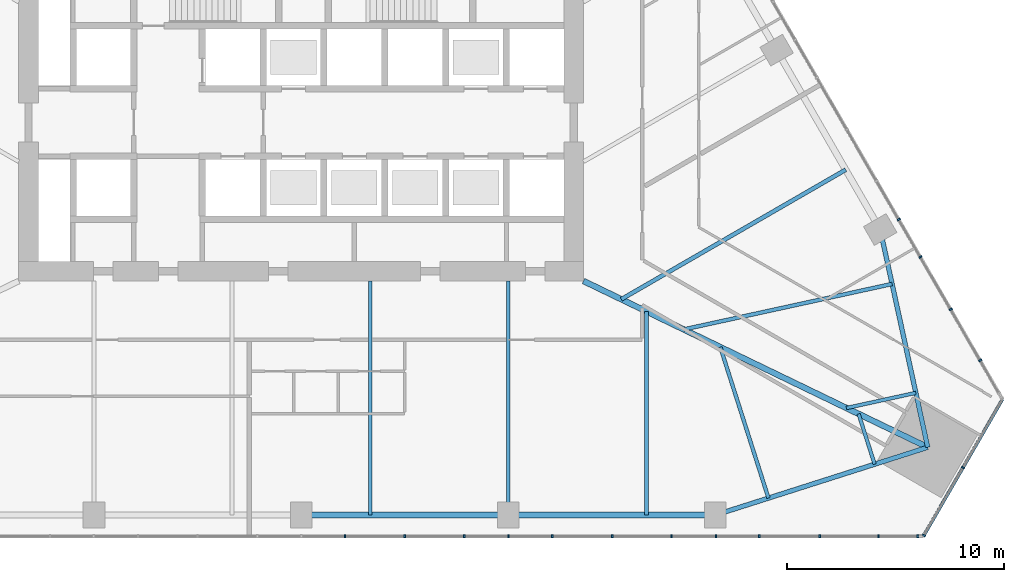
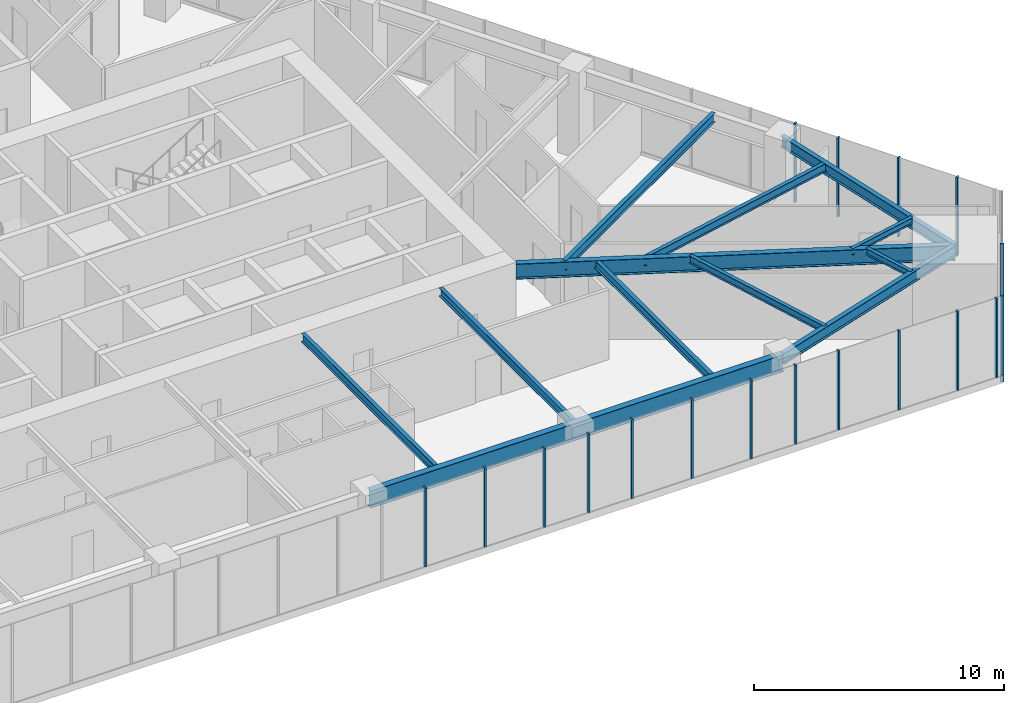
# One storey, part 7 of 25: 19 members, 12 beams, 3 elements without a shape of their own.
"""IFC4 building model written with IfcOpenShell, lengths in metres."""

from ifc_helpers import new_model, si_unit, direction, frame, origin, origin_2d, place, context, subcontext, project, spatial, rectangle, i_section, extrude, material, layer, layer_set, material_profile, profile_set, type_object, element, aggregate, save


model = new_model("IFC4")

# Units and contexts
model_context = context("Model", 3, precision=1e-05, world=origin(), true_north=direction((0.0, 1.0)))
body_context = subcontext(model_context, "Body", "Model", "MODEL_VIEW")
ifc_project = project(units=[si_unit("LENGTHUNIT", "METRE"), si_unit("AREAUNIT", "SQUARE_METRE"), si_unit("VOLUMEUNIT", "CUBIC_METRE"), si_unit("PLANEANGLEUNIT", "RADIAN"), si_unit("MASSUNIT", "GRAM", prefix="KILO")], contexts=[model_context])

# Site, building, storey
site_placement = place(None, origin())
site = spatial("IfcSite", under=ifc_project, at=site_placement, CompositionType="ELEMENT")
building_placement = place(site_placement, origin())
building = spatial("IfcBuilding", under=site, at=building_placement, Name="Firuza Gate Tower and Library", CompositionType="ELEMENT")
storey_placement = place(building_placement, frame((0.0, 0.0, 61.0)))
storey = spatial("IfcBuildingStorey", under=building, at=storey_placement, Name="L13", CompositionType="ELEMENT", Elevation=61.0)

# Curtain wall, members
ifc_material_1 = material(Name="Aluminium 6063-T6", Category="aluminium")
ifc_layer_1 = layer(ifc_material_1, 0.14990234375)
ifc_layer_set_1 = layer_set([ifc_layer_1], Name="Unitised curtain wall, offices")
curtain_wall_type_1 = type_object("IfcCurtainWallType", Name="Unitised curtain wall, offices", PredefinedType="NOTDEFINED", material=ifc_layer_set_1)
placement = place(storey_placement, origin())
curtain_wall_1 = element("IfcCurtainWall", 1, at=placement, inside=storey, type_object=curtain_wall_type_1, Name="CW1 L13 S face", PredefinedType="NOTDEFINED")
ifc_material_2 = material(Name="Aluminium 6063-T6", Category="aluminium")
ifc_material_profile_1 = material_profile(ifc_material_2, rectangle(XDim=0.14990234375, YDim=0.080078125, at=origin_2d()))
ifc_profile_set_1 = profile_set([ifc_material_profile_1], Name="Aluminium 6063-T6")
member_type_1 = type_object("IfcMemberType", Name="Curtain wall mullion 80x150", PredefinedType="MULLION", material=ifc_profile_set_1)
member_1_placement = place(storey_placement, frame((79.7744140625, 54.25390625, 0.14990234375), z_axis=(0.0, 0.0, 1.0), x_axis=(0.0, 1.0, 0.0)))
member_1 = element("IfcMember", 2, at=member_1_placement, type_object=member_type_1, Name="Mullion", PredefinedType="MULLION", context=body_context, shape_type="SweptSolid", body=[
    extrude(rectangle(XDim=0.14990234375, YDim=0.080078125, at=origin_2d()), origin(), (0.0, 0.0, 1.0), 3.85009765625),
])
member_2_placement = place(storey_placement, frame((84.548828125, 54.25390625, 0.14990234375), z_axis=(0.0, 0.0, 1.0), x_axis=(0.0, 1.0, 0.0)))
member_2 = element("IfcMember", 3, at=member_2_placement, type_object=member_type_1, Name="Mullion", PredefinedType="MULLION", context=body_context, shape_type="SweptSolid", body=[
    extrude(rectangle(XDim=0.14990234375, YDim=0.080078125, at=origin_2d()), origin(), (0.0, 0.0, 1.0), 3.85009765625),
])
member_3_placement = place(storey_placement, frame((89.3232421875, 54.25390625, 0.14990234375), z_axis=(0.0, 0.0, 1.0), x_axis=(0.0, 1.0, 0.0)))
member_3 = element("IfcMember", 4, at=member_3_placement, type_object=member_type_1, Name="Mullion", PredefinedType="MULLION", context=body_context, shape_type="SweptSolid", body=[
    extrude(rectangle(XDim=0.14990234375, YDim=0.080078125, at=origin_2d()), origin(), (0.0, 0.0, 1.0), 3.85009765625),
])
member_4_placement = place(storey_placement, frame((94.097900390625, 54.25390625, 0.14990234375), z_axis=(0.0, 0.0, 1.0), x_axis=(0.0, 1.0, 0.0)))
member_4 = element("IfcMember", 5, at=member_4_placement, type_object=member_type_1, Name="Mullion", PredefinedType="MULLION", context=body_context, shape_type="SweptSolid", body=[
    extrude(rectangle(XDim=0.14990234375, YDim=0.080078125, at=origin_2d()), origin(), (0.0, 0.0, 1.0), 3.85009765625),
])
member_5_placement = place(storey_placement, frame((98.872314453125, 54.25390625, 0.14990234375), z_axis=(0.0, 0.0, 1.0), x_axis=(0.0, 1.0, 0.0)))
member_5 = element("IfcMember", 6, at=member_5_placement, type_object=member_type_1, Name="Mullion", PredefinedType="MULLION", context=body_context, shape_type="SweptSolid", body=[
    extrude(rectangle(XDim=0.14990234375, YDim=0.080078125, at=origin_2d()), origin(), (0.0, 0.0, 1.0), 3.85009765625),
])
member_6_placement = place(storey_placement, frame((77.021240234375, 54.25390625, 0.14990234375), z_axis=(0.0, 0.0, 1.0), x_axis=(0.0, 1.0, 0.0)))
member_6 = element("IfcMember", 7, at=member_6_placement, type_object=member_type_1, Name="Mullion", PredefinedType="MULLION", context=body_context, shape_type="SweptSolid", body=[
    extrude(rectangle(XDim=0.14990234375, YDim=0.080078125, at=origin_2d()), origin(), (0.0, 0.0, 1.0), 3.85009765625),
])
member_7_placement = place(storey_placement, frame((82.51318359375, 54.25390625, 0.14990234375), z_axis=(0.0, 0.0, 1.0), x_axis=(0.0, 1.0, 0.0)))
member_7 = element("IfcMember", 8, at=member_7_placement, type_object=member_type_1, Name="Mullion", PredefinedType="MULLION", context=body_context, shape_type="SweptSolid", body=[
    extrude(rectangle(XDim=0.14990234375, YDim=0.080078125, at=origin_2d()), origin(), (0.0, 0.0, 1.0), 3.85009765625),
])
member_8_placement = place(storey_placement, frame((86.5556640625, 54.25390625, 0.14990234375), z_axis=(0.0, 0.0, 1.0), x_axis=(0.0, 1.0, 0.0)))
member_8 = element("IfcMember", 9, at=member_8_placement, type_object=member_type_1, Name="Mullion", PredefinedType="MULLION", context=body_context, shape_type="SweptSolid", body=[
    extrude(rectangle(XDim=0.14990234375, YDim=0.080078125, at=origin_2d()), origin(), (0.0, 0.0, 1.0), 3.85009765625),
])
member_9_placement = place(storey_placement, frame((92.047607421875, 54.25390625, 0.14990234375), z_axis=(0.0, 0.0, 1.0), x_axis=(0.0, 1.0, 0.0)))
member_9 = element("IfcMember", 10, at=member_9_placement, type_object=member_type_1, Name="Mullion", PredefinedType="MULLION", context=body_context, shape_type="SweptSolid", body=[
    extrude(rectangle(XDim=0.14990234375, YDim=0.080078125, at=origin_2d()), origin(), (0.0, 0.0, 1.0), 3.85009765625),
])
member_10_placement = place(storey_placement, frame((96.09033203125, 54.25390625, 0.14990234375), z_axis=(0.0, 0.0, 1.0), x_axis=(0.0, 1.0, 0.0)))
member_10 = element("IfcMember", 11, at=member_10_placement, type_object=member_type_1, Name="Mullion", PredefinedType="MULLION", context=body_context, shape_type="SweptSolid", body=[
    extrude(rectangle(XDim=0.14990234375, YDim=0.080078125, at=origin_2d()), origin(), (0.0, 0.0, 1.0), 3.85009765625),
])
member_11_placement = place(storey_placement, frame((101.58203125, 54.25390625, 0.14990234375), z_axis=(0.0, 0.0, 1.0), x_axis=(0.0, 1.0, 0.0)))
member_11 = element("IfcMember", 12, at=member_11_placement, type_object=member_type_1, Name="Mullion", PredefinedType="MULLION", context=body_context, shape_type="SweptSolid", body=[
    extrude(rectangle(XDim=0.14990234375, YDim=0.080078125, at=origin_2d()), origin(), (0.0, 0.0, 1.0), 3.85009765625),
])
member_12_placement = place(storey_placement, frame((103.380615234375, 54.25390625, 0.14990234375), z_axis=(0.0, 0.0, 1.0), x_axis=(0.0, 1.0, 0.0)))
member_12 = element("IfcMember", 13, at=member_12_placement, type_object=member_type_1, Name="Mullion", PredefinedType="MULLION", context=body_context, shape_type="SweptSolid", body=[
    extrude(rectangle(XDim=0.14990234375, YDim=0.080078125, at=origin_2d()), origin(), (0.0, 0.0, 1.0), 3.85009765625),
])
aggregate(curtain_wall_1, [member_1, member_2, member_3, member_4, member_5, member_6, member_7, member_8, member_9, member_10, member_11, member_12])

ifc_material_3 = material(Name="Aluminium 6063-T6", Category="aluminium")
ifc_layer_2 = layer(ifc_material_3, 0.14990234375)
ifc_layer_set_2 = layer_set([ifc_layer_2], Name="Corner curtain wall, chamfers")
curtain_wall_type_2 = type_object("IfcCurtainWallType", Name="Corner curtain wall, chamfers", PredefinedType="NOTDEFINED", material=ifc_layer_set_2)
curtain_wall_2 = element("IfcCurtainWall", 14, at=placement, inside=storey, type_object=curtain_wall_type_2, Name="CW4 L13 SE corner", PredefinedType="NOTDEFINED")
member_13_placement = place(storey_placement, frame((103.666748046875, 54.28857421875, 0.14990234375), z_axis=(0.0, 0.0, 1.0), x_axis=(-0.866025403784, 0.5, 0.0)))
member_13 = element("IfcMember", 15, at=member_13_placement, type_object=member_type_1, Name="Mullion", PredefinedType="MULLION", context=body_context, shape_type="SweptSolid", body=[
    extrude(rectangle(XDim=0.14990234375, YDim=0.080078125, at=origin_2d()), origin(), (0.0, 0.0, 1.0), 3.85009765625),
])
member_14_placement = place(storey_placement, frame((105.46826171875, 57.4091796875, 0.14990234375), z_axis=(0.0, 0.0, 1.0), x_axis=(-0.866025403784, 0.5, 0.0)))
member_14 = element("IfcMember", 16, at=member_14_placement, type_object=member_type_1, Name="Mullion", PredefinedType="MULLION", context=body_context, shape_type="SweptSolid", body=[
    extrude(rectangle(XDim=0.14990234375, YDim=0.080078125, at=origin_2d()), origin(), (0.0, 0.0, 1.0), 3.85009765625),
])

curtain_wall_3 = element("IfcCurtainWall", 17, at=placement, inside=storey, type_object=curtain_wall_type_1, Name="CW1 L13 E face", PredefinedType="NOTDEFINED")
member_15_placement = place(storey_placement, frame((104.90283203125, 64.698974609375, 0.14990234375), z_axis=(0.0, 0.0, 1.0), x_axis=(-0.866025403784, -0.5, 0.0)))
member_15 = element("IfcMember", 18, at=member_15_placement, type_object=member_type_1, Name="Mullion", PredefinedType="MULLION", context=body_context, shape_type="SweptSolid", body=[
    extrude(rectangle(XDim=0.14990234375, YDim=0.080078125, at=origin_2d()), origin(), (0.0, 0.0, 1.0), 3.85009765625),
])
member_16_placement = place(storey_placement, frame((102.515625, 68.833984375, 0.14990234375), z_axis=(0.0, 0.0, 1.0), x_axis=(-0.866025403784, -0.5, 0.0)))
member_16 = element("IfcMember", 19, at=member_16_placement, type_object=member_type_1, Name="Mullion", PredefinedType="MULLION", context=body_context, shape_type="SweptSolid", body=[
    extrude(rectangle(XDim=0.14990234375, YDim=0.080078125, at=origin_2d()), origin(), (0.0, 0.0, 1.0), 3.85009765625),
])
member_17_placement = place(storey_placement, frame((106.257568359375, 62.352294921875, 0.14990234375), z_axis=(0.0, 0.0, 1.0), x_axis=(-0.866025403784, -0.5, 0.0)))
member_17 = element("IfcMember", 20, at=member_17_placement, type_object=member_type_1, Name="Mullion", PredefinedType="MULLION", context=body_context, shape_type="SweptSolid", body=[
    extrude(rectangle(XDim=0.14990234375, YDim=0.080078125, at=origin_2d()), origin(), (0.0, 0.0, 1.0), 3.85009765625),
])
member_18_placement = place(storey_placement, frame((103.51171875, 67.1083984375, 0.14990234375), z_axis=(0.0, 0.0, 1.0), x_axis=(-0.866025403784, -0.5, 0.0)))
member_18 = element("IfcMember", 21, at=member_18_placement, type_object=member_type_1, Name="Mullion", PredefinedType="MULLION", context=body_context, shape_type="SweptSolid", body=[
    extrude(rectangle(XDim=0.14990234375, YDim=0.080078125, at=origin_2d()), origin(), (0.0, 0.0, 1.0), 3.85009765625),
])
aggregate(curtain_wall_3, [member_15, member_16, member_17, member_18])

# Member
ifc_material_4 = material(Name="Aluminium 6063-T6", Category="aluminium")
ifc_material_profile_2 = material_profile(ifc_material_4, rectangle(XDim=0.14990234375, YDim=0.35009765625, at=origin_2d()))
ifc_profile_set_2 = profile_set([ifc_material_profile_2], Name="Aluminium 6063-T6")
member_type_2 = type_object("IfcMemberType", Name="Curtain wall transom 350x150", PredefinedType="USERDEFINED", material=ifc_profile_set_2)
member_19_placement = place(storey_placement, frame((103.646728515625, 54.25390625, -0.02490234375), z_axis=(0.500005719219, 0.866022101766, 0.0), x_axis=(-0.866022101766, 0.500005719219, 0.0)))
member_19 = element("IfcMember", 22, at=member_19_placement, type_object=member_type_2, Name="Transom", ObjectType="TRANSOM", PredefinedType="USERDEFINED", context=body_context, shape_type="SweptSolid", body=[
    extrude(rectangle(XDim=0.14990234375, YDim=0.35009765625, at=origin_2d()), origin(), (0.0, 0.0, 1.0), 7.28662109375),
])

aggregate(curtain_wall_2, [member_13, member_14, member_19])

# Beams
ifc_material_5 = material(Name="Steel S355", Category="steel")
ifc_material_profile_3 = material_profile(ifc_material_5, i_section(OverallWidth=0.1650390625, OverallDepth=0.31005859375, WebThickness=0.005859375, FlangeThickness=0.009765625, at=origin_2d()))
ifc_profile_set_3 = profile_set([ifc_material_profile_3], Name="Steel S355")
beam_type_1 = type_object("IfcBeamType", Name="W310x39 Floor beam", PredefinedType="JOIST", material=ifc_profile_set_3)
beam_1_placement = place(storey_placement, frame((101.400634765625, 57.567138671875, 3.844970703125), z_axis=(-0.303883149111, 0.952709311221, 0.0), x_axis=(-0.952709311221, -0.303883149111, 0.0)))
element("IfcBeam", 23, at=beam_1_placement, inside=storey, type_object=beam_type_1, Name="Floor beam L13 s31", PredefinedType="JOIST", context=body_context, shape_type="SweptSolid", body=[
    extrude(i_section(OverallWidth=0.1650390625, OverallDepth=0.31005859375, WebThickness=0.005859375, FlangeThickness=0.009765625, at=origin_2d()), origin(), (0.0, 0.0, 1.0), 2.431884765625),
])
beam_2_placement = place(storey_placement, frame((103.297607421875, 60.852783203125, 3.844970703125), z_axis=(-0.977001633278, -0.213231818855, 0.0), x_axis=(0.213231818855, -0.977001633278, 0.0)))
element("IfcBeam", 24, at=beam_2_placement, inside=storey, type_object=beam_type_1, Name="Floor beam L13 s40", PredefinedType="JOIST", context=body_context, shape_type="SweptSolid", body=[
    extrude(i_section(OverallWidth=0.1650390625, OverallDepth=0.31005859375, WebThickness=0.005859375, FlangeThickness=0.009765625, at=origin_2d()), origin(), (0.0, 0.0, 1.0), 3.272216796875),
])
ifc_material_6 = material(Name="Steel S355", Category="steel")
ifc_material_profile_4 = material_profile(ifc_material_6, i_section(OverallWidth=0.1708984375, OverallDepth=0.35498046875, WebThickness=0.007080078125, FlangeThickness=0.01171875, at=origin_2d()))
ifc_profile_set_4 = profile_set([ifc_material_profile_4], Name="Steel S355")
beam_type_2 = type_object("IfcBeamType", Name="W360x51 Floor beam", PredefinedType="JOIST", material=ifc_profile_set_4)
beam_3_placement = place(storey_placement, frame((96.5126953125, 56.00830078125, 3.822509765625), z_axis=(-0.303832087289, 0.952725596766, 0.0), x_axis=(-0.952725596766, -0.303832087289, 0.0)))
element("IfcBeam", 25, at=beam_3_placement, inside=storey, type_object=beam_type_2, Name="Floor beam L13 s30", PredefinedType="JOIST", context=body_context, shape_type="SweptSolid", body=[
    extrude(i_section(OverallWidth=0.1708984375, OverallDepth=0.35498046875, WebThickness=0.007080078125, FlangeThickness=0.01171875, at=origin_2d()), origin(), (0.0, 0.0, 1.0), 7.29541015625),
])
ifc_material_7 = material(Name="Steel S355", Category="steel")
ifc_material_profile_5 = material_profile(ifc_material_7, i_section(OverallWidth=0.177978515625, OverallDepth=0.406982421875, WebThickness=0.0078125, FlangeThickness=0.0126953125, at=origin_2d()))
ifc_profile_set_5 = profile_set([ifc_material_profile_5], Name="Steel S355")
beam_type_3 = type_object("IfcBeamType", Name="W410x60 Floor beam", PredefinedType="JOIST", material=ifc_profile_set_5)
for number, where, z_axis, x_axis, name in (
    (26, (78.17822265625, 55.22900390625, 3.79638671875), (0.0, 1.0, 0.0), (-1.0, 0.0, 0.0), "Floor beam L13 s23"),
    (27, (84.534423828125, 55.22900390625, 3.79638671875), (0.0, 1.0, 0.0), (-1.0, 0.0, 0.0), "Floor beam L13 s24"),
):
    element("IfcBeam", number, at=place(storey_placement, frame(where, z_axis=z_axis, x_axis=x_axis)), inside=storey, type_object=beam_type_3, Name=name, PredefinedType="JOIST", context=body_context, shape_type="SweptSolid", body=[
        extrude(i_section(OverallWidth=0.177978515625, OverallDepth=0.406982421875, WebThickness=0.0078125, FlangeThickness=0.0126953125, at=origin_2d()), origin(), (0.0, 0.0, 1.0), 10.77099609375),
    ])
beam_4_placement = place(storey_placement, frame((90.890869140625, 55.22900390625, 3.79638671875), z_axis=(0.0, 1.0, 0.0), x_axis=(-1.0, 0.0, 0.0)))
element("IfcBeam", 28, at=beam_4_placement, inside=storey, type_object=beam_type_3, Name="Floor beam L13 s25", PredefinedType="JOIST", context=body_context, shape_type="SweptSolid", body=[
    extrude(i_section(OverallWidth=0.177978515625, OverallDepth=0.406982421875, WebThickness=0.0078125, FlangeThickness=0.0126953125, at=origin_2d()), origin(), (0.0, 0.0, 1.0), 9.374755859375),
])
beam_5_placement = place(storey_placement, frame((102.20361328125, 65.865234375, 3.79638671875), z_axis=(-0.977001633278, -0.213231818855, 0.0), x_axis=(0.213231818855, -0.977001633278, 0.0)))
element("IfcBeam", 29, at=beam_5_placement, inside=storey, type_object=beam_type_3, Name="Floor beam L13 s41", PredefinedType="JOIST", context=body_context, shape_type="SweptSolid", body=[
    extrude(i_section(OverallWidth=0.177978515625, OverallDepth=0.406982421875, WebThickness=0.0078125, FlangeThickness=0.0126953125, at=origin_2d()), origin(), (0.0, 0.0, 1.0), 9.81689453125),
])
ifc_material_8 = material(Name="Steel S355", Category="steel")
ifc_material_profile_6 = material_profile(ifc_material_8, i_section(OverallWidth=0.18994140625, OverallDepth=0.45703125, WebThickness=0.009033203125, FlangeThickness=0.014404296875, at=origin_2d()))
ifc_profile_set_6 = profile_set([ifc_material_profile_6], Name="Steel S355")
beam_type_4 = type_object("IfcBeamType", Name="W460x74 Floor beam", PredefinedType="JOIST", material=ifc_profile_set_6)
beam_6_placement = place(storey_placement, frame((100.067626953125, 71.123779296875, 3.771484375), z_axis=(-0.866021283888, -0.500007135802, 0.0), x_axis=(0.500007135802, -0.866021283888, 0.0)))
element("IfcBeam", 30, at=beam_6_placement, inside=storey, type_object=beam_type_4, Name="Floor beam L13 s50", PredefinedType="JOIST", context=body_context, shape_type="SweptSolid", body=[
    extrude(i_section(OverallWidth=0.18994140625, OverallDepth=0.45703125, WebThickness=0.009033203125, FlangeThickness=0.014404296875, at=origin_2d()), origin(), (0.0, 0.0, 1.0), 11.927001953125),
])
ifc_material_9 = material(Name="Steel S355", Category="steel")
ifc_material_profile_7 = material_profile(ifc_material_9, i_section(OverallWidth=0.212890625, OverallDepth=0.5390625, WebThickness=0.01171875, FlangeThickness=0.018798828125, at=origin_2d()))
ifc_profile_set_7 = profile_set([ifc_material_profile_7], Name="Steel S355")
beam_type_5 = type_object("IfcBeamType", Name="W530x109 Edge beam", PredefinedType="SPANDREL", material=ifc_profile_set_7)
beam_7_placement = place(storey_placement, frame((94.06884765625, 55.22900390625, 3.73046875), z_axis=(0.952721510235, 0.303844901119, 0.0), x_axis=(-0.303844901119, 0.952721510235, 0.0)))
element("IfcBeam", 31, at=beam_7_placement, inside=storey, type_object=beam_type_5, Name="Edge beam L13 e30", PredefinedType="SPANDREL", context=body_context, shape_type="SweptSolid", body=[
    extrude(i_section(OverallWidth=0.212890625, OverallDepth=0.5390625, WebThickness=0.01171875, FlangeThickness=0.018798828125, at=origin_2d()), origin(), (0.0, 0.0, 1.0), 10.2607421875),
])
beam_8_placement = place(storey_placement, frame((103.844482421875, 58.3466796875, 3.73046875), z_axis=(-0.21321786896, 0.977004677756, 0.0), x_axis=(-0.977004677756, -0.21321786896, 0.0)))
element("IfcBeam", 32, at=beam_8_placement, inside=storey, type_object=beam_type_5, Name="Edge beam L13 e40", PredefinedType="SPANDREL", context=body_context, shape_type="SweptSolid", body=[
    extrude(i_section(OverallWidth=0.212890625, OverallDepth=0.5390625, WebThickness=0.01171875, FlangeThickness=0.018798828125, at=origin_2d()), origin(), (0.0, 0.0, 1.0), 10.260498046875),
])
ifc_material_10 = material(Name="Steel S355", Category="steel")
ifc_material_profile_8 = material_profile(ifc_material_10, i_section(OverallWidth=0.264892578125, OverallDepth=0.7529296875, WebThickness=0.01318359375, FlangeThickness=0.01708984375, at=origin_2d()))
ifc_profile_set_8 = profile_set([ifc_material_profile_8], Name="Steel S355")
beam_type_6 = type_object("IfcBeamType", Name="W760x147 Girder", PredefinedType="BEAM", material=ifc_profile_set_8)
beam_9_placement = place(storey_placement, frame((103.844482421875, 58.3466796875, 3.62353515625), z_axis=(-0.90045683322, 0.434945389109, 0.0), x_axis=(-0.434945389109, -0.90045683322, 0.0)))
element("IfcBeam", 33, at=beam_9_placement, inside=storey, type_object=beam_type_6, Name="Girder L13 gSE", PredefinedType="BEAM", context=body_context, shape_type="SweptSolid", body=[
    extrude(i_section(OverallWidth=0.264892578125, OverallDepth=0.7529296875, WebThickness=0.01318359375, FlangeThickness=0.01708984375, at=origin_2d()), origin(), (0.0, 0.0, 1.0), 17.595947265625),
])
ifc_material_11 = material(Name="Steel S355", Category="steel")
ifc_material_profile_9 = material_profile(ifc_material_11, i_section(OverallWidth=0.2919921875, OverallDepth=0.8349609375, WebThickness=0.013916015625, FlangeThickness=0.018798828125, at=origin_2d()))
ifc_profile_set_9 = profile_set([ifc_material_profile_9], Name="Steel S355")
beam_type_7 = type_object("IfcBeamType", Name="W840x176 Edge beam", PredefinedType="SPANDREL", material=ifc_profile_set_9)
beam_10_placement = place(storey_placement, frame((75.0, 55.22900390625, 3.58251953125), z_axis=(1.0, 0.0, 0.0), x_axis=(0.0, 1.0, 0.0)))
element("IfcBeam", 34, at=beam_10_placement, inside=storey, type_object=beam_type_7, Name="Edge beam L13 e22", PredefinedType="SPANDREL", context=body_context, shape_type="SweptSolid", body=[
    extrude(i_section(OverallWidth=0.2919921875, OverallDepth=0.8349609375, WebThickness=0.013916015625, FlangeThickness=0.018798828125, at=origin_2d()), origin(), (0.0, 0.0, 1.0), 19.06884765625),
])

save(model, "model.ifc")
